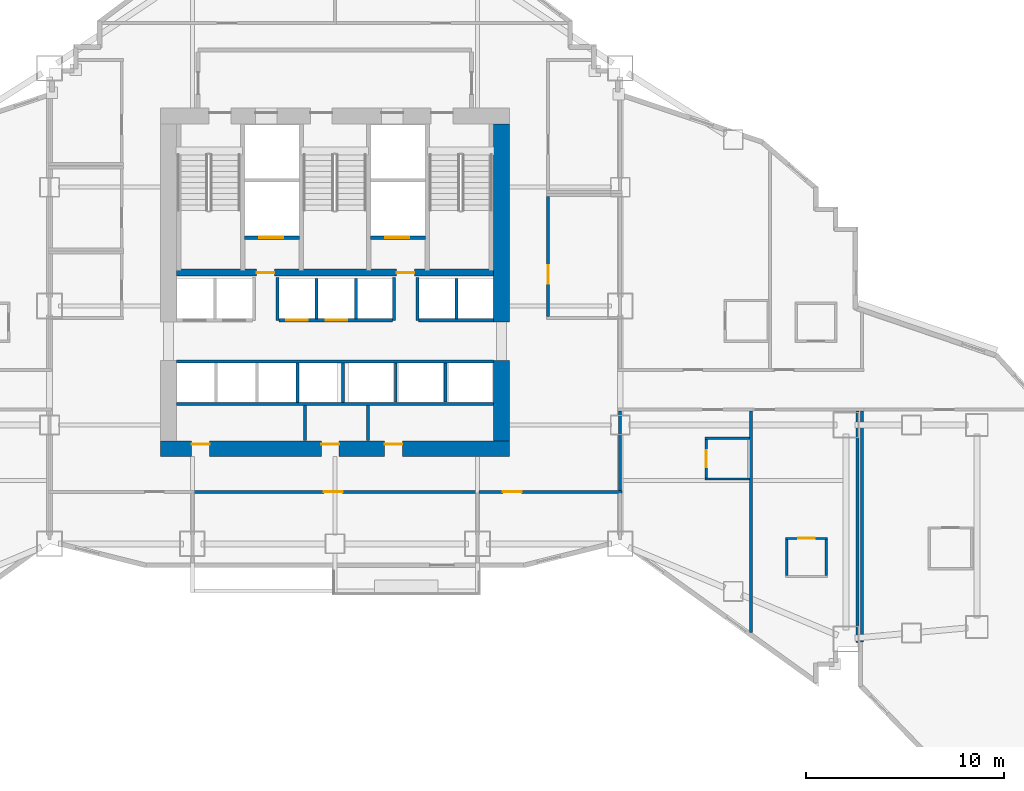
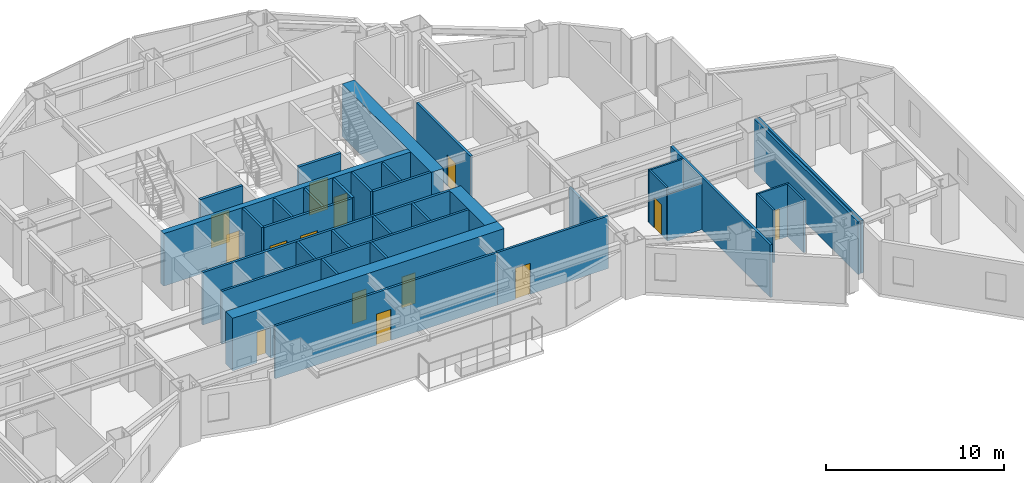
# One storey, part 9 of 17: 35 walls, 14 doors, 14 openings.
"""IFC4 building model written with IfcOpenShell, lengths in metres."""

from ifc_helpers import new_model, si_unit, direction, frame, frame_2d, origin, place, context, subcontext, project, spatial, rectangle, extrude, material, layer, layer_set, type_object, element, fill, save


model = new_model("IFC4")

# Units and contexts
model_context = context("Model", 3, precision=1e-05, world=origin(), true_north=direction((0.0, 1.0)))
body_context = subcontext(model_context, "Body", "Model", "MODEL_VIEW")
ifc_project = project(units=[si_unit("LENGTHUNIT", "METRE"), si_unit("AREAUNIT", "SQUARE_METRE"), si_unit("VOLUMEUNIT", "CUBIC_METRE"), si_unit("PLANEANGLEUNIT", "RADIAN"), si_unit("MASSUNIT", "GRAM", prefix="KILO")], contexts=[model_context])

# Site, building, storey
site_placement = place(None, origin())
site = spatial("IfcSite", under=ifc_project, at=site_placement, CompositionType="ELEMENT")
building_placement = place(site_placement, origin())
building = spatial("IfcBuilding", under=site, at=building_placement, Name="Haolan Belvedere Tower", CompositionType="ELEMENT")
storey_placement = place(building_placement, frame((0.0, 0.0, 35.39990234375)))
storey = spatial("IfcBuildingStorey", under=building, at=storey_placement, Name="L08", CompositionType="ELEMENT", Elevation=35.39990234375)

# Wall, openings, doors
ifc_material_1 = material(Name="Concrete C70/85", Category="concrete")
ifc_layer_1 = layer(ifc_material_1, 0.800048828125, Name="Concrete C70/85")
ifc_layer_set_1 = layer_set([ifc_layer_1], Name="Concrete C70/85")
wall_type_1 = type_object("IfcWallType", Name="WL-CORE-800", PredefinedType="SHEAR", material=ifc_layer_set_1)
wall_1_placement = place(storey_placement, frame((29.60009765625, 26.39990234375, 0.0), z_axis=(0.0, 0.0, 1.0), x_axis=(1.0, 0.0, 0.0)))
wall_1 = element("IfcWall", 1, at=wall_1_placement, inside=storey, type_object=wall_type_1, Name="L08 central core south shear wall", PredefinedType="SHEAR", context=body_context, shape_type="SweptSolid", body=[
    extrude(rectangle(XDim=17.599853515625, YDim=0.800048828125, at=frame_2d((8.7998046875, 0.0))), origin(), (0.0, 0.0, 1.0), 3.60009765625),
])
opening_1_placement = place(wall_1_placement, frame((2.469970703125, 0.0, 0.0), z_axis=(0.0, 0.0, 1.0), x_axis=(-1.0, 0.0, 0.0)))
opening_1 = element("IfcOpeningElement", 2, at=opening_1_placement, cuts=wall_1, Name="Opening FD-05", PredefinedType="OPENING", context=body_context, shape_type="SweptSolid", body=[
    extrude(rectangle(XDim=0.89990234375, YDim=2.10009765625, at=frame_2d((0.449951171875, 1.050048828125))), frame((0.0, 0.409912109375, 0.0), z_axis=(0.0, -1.0, 0.0), x_axis=(1.0, 0.0, 0.0)), (0.0, 0.0, 1.0), 0.820068359375),
])
opening_2_placement = place(wall_1_placement, frame((9.010009765625, 0.0, 0.0), z_axis=(0.0, 0.0, 1.0), x_axis=(-1.0, 0.0, 0.0)))
opening_2 = element("IfcOpeningElement", 3, at=opening_2_placement, cuts=wall_1, Name="Opening FD-05", PredefinedType="OPENING", context=body_context, shape_type="SweptSolid", body=[
    extrude(rectangle(XDim=0.89990234375, YDim=2.10009765625, at=frame_2d((0.449951171875, 1.050048828125))), frame((0.0, 0.409912109375, 0.0), z_axis=(0.0, -1.0, 0.0), x_axis=(1.0, 0.0, 0.0)), (0.0, 0.0, 1.0), 0.820068359375),
])
opening_3_placement = place(wall_1_placement, frame((12.2099609375, 0.0, 0.0), z_axis=(0.0, 0.0, 1.0), x_axis=(-1.0, 0.0, 0.0)))
opening_3 = element("IfcOpeningElement", 4, at=opening_3_placement, cuts=wall_1, Name="Opening FD-05", PredefinedType="OPENING", context=body_context, shape_type="SweptSolid", body=[
    extrude(rectangle(XDim=0.89990234375, YDim=2.10009765625, at=frame_2d((0.449951171875, 1.050048828125))), frame((0.0, 0.409912109375, 0.0), z_axis=(0.0, -1.0, 0.0), x_axis=(1.0, 0.0, 0.0)), (0.0, 0.0, 1.0), 0.820068359375),
])
ifc_material_2 = material(Name="Galvanised fire-rated steel", Category="steel")
door_type_1 = type_object("IfcDoorType", Name="DR-FD60-900", OperationType="NOTDEFINED", PredefinedType="DOOR", material=ifc_material_2)
door_1_placement = place(opening_1_placement, origin())
door_1 = element("IfcDoor", 5, at=door_1_placement, inside=storey, type_object=door_type_1, Name="L08 door CD-L08-SCV-1", OperationType="SINGLE_SWING_LEFT", OverallHeight=2.10009765625, OverallWidth=0.89990234375, PredefinedType="DOOR", context=body_context, shape_type="SweptSolid", body=[
    extrude(rectangle(XDim=0.89990234375, YDim=2.10009765625, at=frame_2d((0.449951171875, 1.050048828125))), frame((0.0, -0.19482421875, 0.0), z_axis=(0.0, -1.0, 0.0), x_axis=(1.0, 0.0, 0.0)), (0.0, 0.0, 1.0), 0.050048828125),
])
fill(opening_1, door_1)
door_2_placement = place(opening_2_placement, origin())
door_2 = element("IfcDoor", 6, at=door_2_placement, inside=storey, type_object=door_type_1, Name="L08 door CD-L08-SCV-2", OperationType="SINGLE_SWING_RIGHT", OverallHeight=2.10009765625, OverallWidth=0.89990234375, PredefinedType="DOOR", context=body_context, shape_type="SweptSolid", body=[
    extrude(rectangle(XDim=0.89990234375, YDim=2.10009765625, at=frame_2d((0.449951171875, 1.050048828125))), frame((0.0, -0.19482421875, 0.0), z_axis=(0.0, -1.0, 0.0), x_axis=(1.0, 0.0, 0.0)), (0.0, 0.0, 1.0), 0.050048828125),
])
fill(opening_2, door_2)
door_3_placement = place(opening_3_placement, origin())
door_3 = element("IfcDoor", 7, at=door_3_placement, inside=storey, type_object=door_type_1, Name="L08 door CD-L08-SCV-3", OperationType="SINGLE_SWING_LEFT", OverallHeight=2.10009765625, OverallWidth=0.89990234375, PredefinedType="DOOR", context=body_context, shape_type="SweptSolid", body=[
    extrude(rectangle(XDim=0.89990234375, YDim=2.10009765625, at=frame_2d((0.449951171875, 1.050048828125))), frame((0.0, -0.19482421875, 0.0), z_axis=(0.0, -1.0, 0.0), x_axis=(1.0, 0.0, 0.0)), (0.0, 0.0, 1.0), 0.050048828125),
])
fill(opening_3, door_3)

# Walls
wall_2_placement = place(storey_placement, frame((46.800048828125, 26.800048828125, 0.0), z_axis=(0.0, 0.0, 1.0), x_axis=(0.0, 1.0, 0.0)))
element("IfcWall", 8, at=wall_2_placement, inside=storey, type_object=wall_type_1, Name="L08 central core shear wall ES", PredefinedType="SHEAR", context=body_context, shape_type="SweptSolid", body=[
    extrude(rectangle(XDim=4.050048828125, YDim=0.800048828125, at=frame_2d((2.02490234375, 0.0))), origin(), (0.0, 0.0, 1.0), 3.60009765625),
])
wall_3_placement = place(storey_placement, frame((46.800048828125, 32.800048828125, 0.0), z_axis=(0.0, 0.0, 1.0), x_axis=(0.0, 1.0, 0.0)))
element("IfcWall", 9, at=wall_3_placement, inside=storey, type_object=wall_type_1, Name="L08 central core shear wall EN", PredefinedType="SHEAR", context=body_context, shape_type="SweptSolid", body=[
    extrude(rectangle(XDim=10.0, YDim=0.800048828125, at=frame_2d((5.0, 0.0))), origin(), (0.0, 0.0, 1.0), 3.60009765625),
])
ifc_material_3 = material(Name="Double gypsum acoustic stud partition", Category="masonry")
ifc_layer_2 = layer(ifc_material_3, 0.14990234375, Name="Double gypsum acoustic stud partition")
ifc_layer_set_2 = layer_set([ifc_layer_2], Name="Double gypsum acoustic stud partition")
wall_type_2 = type_object("IfcWallType", Name="WL-PART-150", PredefinedType="PARTITIONING", material=ifc_layer_set_2)
wall_4_placement = place(storey_placement, frame((30.39990234375, 28.659912109375, 0.0), z_axis=(0.0, 0.0, 1.0), x_axis=(1.0, 0.0, 0.0)))
element("IfcWall", 10, at=wall_4_placement, inside=storey, type_object=wall_type_2, Name="L08 interior partition IW-L08-SSTRIP-N", PredefinedType="PARTITIONING", context=body_context, shape_type="SweptSolid", body=[
    extrude(rectangle(XDim=16.0, YDim=0.14990234375, at=frame_2d((8.0, 0.0))), origin(), (0.0, 0.0, 1.0), 3.60009765625),
])
for number, where, z_axis, x_axis, name in (
    (11, (36.8798828125, 26.81005859375, 0.0), (0.0, 0.0, 1.0), (0.0, 1.0, 0.0), "L08 interior partition IW-L08-SCV-DIV-1"),
    (12, (40.080078125, 26.81005859375, 0.0), (0.0, 0.0, 1.0), (0.0, 1.0, 0.0), "L08 interior partition IW-L08-SCV-DIV-2"),
):
    element("IfcWall", number, at=place(storey_placement, frame(where, z_axis=z_axis, x_axis=x_axis)), inside=storey, type_object=wall_type_2, Name=name, PredefinedType="PARTITIONING", context=body_context, shape_type="SweptSolid", body=[
        extrude(rectangle(XDim=1.77001953125, YDim=0.14990234375, at=frame_2d((0.885009765625, 0.0))), origin(), (0.0, 0.0, 1.0), 3.60009765625),
    ])

# Wall, opening, door
wall_5_placement = place(storey_placement, frame((49.159912109375, 33.06005859375, 0.0), z_axis=(0.0, 0.0, 1.0), x_axis=(0.0, 1.0, 0.0)))
wall_5 = element("IfcWall", 13, at=wall_5_placement, inside=storey, type_object=wall_type_2, Name="L08 interior partition IW-L08-HSK-W", PredefinedType="PARTITIONING", context=body_context, shape_type="SweptSolid", body=[
    extrude(rectangle(XDim=6.079833984375, YDim=0.14990234375, at=frame_2d((3.0400390625, 0.0))), origin(), (0.0, 0.0, 1.0), 3.60009765625),
])
opening_4_placement = place(wall_5_placement, frame((1.659912109375, 0.0, 0.0)))
opening_4 = element("IfcOpeningElement", 14, at=opening_4_placement, cuts=wall_5, Name="Opening ID-03", PredefinedType="OPENING", context=body_context, shape_type="SweptSolid", body=[
    extrude(rectangle(XDim=0.949951171875, YDim=2.1201171875, at=frame_2d((0.47509765625, 1.06005859375))), frame((0.0, 0.0849609375, 0.0), z_axis=(0.0, -1.0, 0.0), x_axis=(1.0, 0.0, 0.0)), (0.0, 0.0, 1.0), 0.169921875),
])
ifc_material_4 = material(Name="Painted solid-core timber", Category="wood")
door_type_2 = type_object("IfcDoorType", Name="DR-INT-950", OperationType="NOTDEFINED", PredefinedType="DOOR", material=ifc_material_4)
door_4_placement = place(opening_4_placement, origin())
door_4 = element("IfcDoor", 15, at=door_4_placement, inside=storey, type_object=door_type_2, Name="L08 door ID-L08-HSK", OperationType="SINGLE_SWING_RIGHT", OverallHeight=2.1201171875, OverallWidth=0.949951171875, PredefinedType="DOOR", context=body_context, shape_type="SweptSolid", body=[
    extrude(rectangle(XDim=0.949951171875, YDim=2.1201171875, at=frame_2d((0.47509765625, 1.06005859375))), frame((0.0, 0.02490234375, 0.0), z_axis=(0.0, -1.0, 0.0), x_axis=(1.0, 0.0, 0.0)), (0.0, 0.0, 1.0), 0.050048828125),
])
fill(opening_4, door_4)

wall_6_placement = place(storey_placement, frame((31.281982421875, 24.219970703125, 0.0), z_axis=(0.0, 0.0, 1.0), x_axis=(1.0, 0.0, 0.0)))
wall_6 = element("IfcWall", 16, at=wall_6_placement, inside=storey, type_object=wall_type_2, Name="L08 interior partition IW-L08-KS2-N", PredefinedType="PARTITIONING", context=body_context, shape_type="SweptSolid", body=[
    extrude(rectangle(XDim=14.39794921875, YDim=0.14990234375, at=frame_2d((7.198974609375, 0.0))), origin(), (0.0, 0.0, 1.0), 3.60009765625),
])
opening_5_placement = place(wall_6_placement, frame((7.512939453125, 0.0, 0.0), z_axis=(0.0, 0.0, 1.0), x_axis=(-1.0, 0.0, 0.0)))
opening_5 = element("IfcOpeningElement", 17, at=opening_5_placement, cuts=wall_6, Name="Opening ID-03", PredefinedType="OPENING", context=body_context, shape_type="SweptSolid", body=[
    extrude(rectangle(XDim=0.949951171875, YDim=2.1201171875, at=frame_2d((0.47509765625, 1.06005859375))), frame((0.0, 0.0849609375, 0.0), z_axis=(0.0, -1.0, 0.0), x_axis=(1.0, 0.0, 0.0)), (0.0, 0.0, 1.0), 0.169921875),
])
door_5_placement = place(opening_5_placement, origin())
door_5 = element("IfcDoor", 18, at=door_5_placement, inside=storey, type_object=door_type_2, Name="L08 door ID-L08-KS2", OperationType="SINGLE_SWING_LEFT", OverallHeight=2.1201171875, OverallWidth=0.949951171875, PredefinedType="DOOR", context=body_context, shape_type="SweptSolid", body=[
    extrude(rectangle(XDim=0.949951171875, YDim=2.1201171875, at=frame_2d((0.47509765625, 1.06005859375))), frame((0.0, 0.02490234375, 0.0), z_axis=(0.0, -1.0, 0.0), x_axis=(1.0, 0.0, 0.0)), (0.0, 0.0, 1.0), 0.050048828125),
])
fill(opening_5, door_5)

wall_7_placement = place(storey_placement, frame((45.681884765625, 24.219970703125, 0.0), z_axis=(0.0, 0.0, 1.0), x_axis=(1.0, 0.0, 0.0)))
wall_7 = element("IfcWall", 19, at=wall_7_placement, inside=storey, type_object=wall_type_2, Name="L08 interior partition IW-L08-KS3-N", PredefinedType="PARTITIONING", context=body_context, shape_type="SweptSolid", body=[
    extrude(rectangle(XDim=7.197998046875, YDim=0.14990234375, at=frame_2d((3.59912109375, 0.0))), origin(), (0.0, 0.0, 1.0), 3.60009765625),
])
opening_6_placement = place(wall_7_placement, frame((2.14306640625, 0.0, 0.0), z_axis=(0.0, 0.0, 1.0), x_axis=(-1.0, 0.0, 0.0)))
opening_6 = element("IfcOpeningElement", 20, at=opening_6_placement, cuts=wall_7, Name="Opening ID-03", PredefinedType="OPENING", context=body_context, shape_type="SweptSolid", body=[
    extrude(rectangle(XDim=0.949951171875, YDim=2.1201171875, at=frame_2d((0.47509765625, 1.06005859375))), frame((0.0, 0.0849609375, 0.0), z_axis=(0.0, -1.0, 0.0), x_axis=(1.0, 0.0, 0.0)), (0.0, 0.0, 1.0), 0.169921875),
])
door_6_placement = place(opening_6_placement, origin())
door_6 = element("IfcDoor", 21, at=door_6_placement, inside=storey, type_object=door_type_2, Name="L08 door ID-L08-KS3", OperationType="SINGLE_SWING_RIGHT", OverallHeight=2.1201171875, OverallWidth=0.949951171875, PredefinedType="DOOR", context=body_context, shape_type="SweptSolid", body=[
    extrude(rectangle(XDim=0.949951171875, YDim=2.1201171875, at=frame_2d((0.47509765625, 1.06005859375))), frame((0.0, 0.02490234375, 0.0), z_axis=(0.0, -1.0, 0.0), x_axis=(1.0, 0.0, 0.0)), (0.0, 0.0, 1.0), 0.050048828125),
])
fill(opening_6, door_6)

# Walls
wall_8_placement = place(storey_placement, frame((52.800048828125, 24.280029296875, 0.0), z_axis=(0.0, 0.0, 1.0), x_axis=(0.0, 1.0, 0.0)))
element("IfcWall", 22, at=wall_8_placement, inside=storey, type_object=wall_type_2, Name="L08 interior partition IW-L08-T4S1-W", PredefinedType="PARTITIONING", context=body_context, shape_type="SweptSolid", body=[
    extrude(rectangle(XDim=4.030029296875, YDim=0.14990234375, at=frame_2d((2.01513671875, 0.0))), origin(), (0.0, 0.0, 1.0), 3.09716796875),
])
wall_9_placement = place(storey_placement, frame((59.389892578125, 17.132568359375, 0.0), z_axis=(0.0, 0.0, 1.0), x_axis=(0.0, 1.0, 0.0)))
element("IfcWall", 23, at=wall_9_placement, inside=storey, type_object=wall_type_2, Name="L08 interior partition IW-L08-T4S1-E", PredefinedType="PARTITIONING", context=body_context, shape_type="SweptSolid", body=[
    extrude(rectangle(XDim=11.177490234375, YDim=0.14990234375, at=frame_2d((5.5888671875, 0.0))), origin(), (0.0, 0.0, 1.0), 3.60009765625),
])
wall_10_placement = place(storey_placement, frame((65.0, 16.64208984375, 0.0), z_axis=(0.0, 0.0, 1.0), x_axis=(0.0, 1.0, 0.0)))
element("IfcWall", 24, at=wall_10_placement, inside=storey, type_object=wall_type_2, Name="L08 interior partition IW-L08-T4S2-E", PredefinedType="PARTITIONING", context=body_context, shape_type="SweptSolid", body=[
    extrude(rectangle(XDim=11.66796875, YDim=0.14990234375, at=frame_2d((5.833984375, 0.0))), origin(), (0.0, 0.0, 1.0), 3.60009765625),
])
wall_11_placement = place(storey_placement, frame((64.780029296875, 16.612060546875, 0.0), z_axis=(0.0, 0.0, 1.0), x_axis=(0.0, 1.0, 0.0)))
element("IfcWall", 25, at=wall_11_placement, inside=storey, type_object=wall_type_2, Name="L08 interior partition IW-L08-T5S1-W", PredefinedType="PARTITIONING", context=body_context, shape_type="SweptSolid", body=[
    extrude(rectangle(XDim=11.697998046875, YDim=0.14990234375, at=frame_2d((5.84912109375, 0.0))), origin(), (0.0, 0.0, 1.0), 3.60009765625),
])
ifc_material_5 = material(Name="Gypsum fire shaftwall assembly", Category="masonry")
ifc_layer_3 = layer(ifc_material_5, 0.1650390625, Name="Gypsum fire shaftwall assembly")
ifc_layer_set_3 = layer_set([ifc_layer_3], Name="Gypsum fire shaftwall assembly")
wall_type_3 = type_object("IfcWallType", Name="WL-SHAFT-160", PredefinedType="SOLIDWALL", material=ifc_layer_set_3)
for number, where, z_axis, x_axis, name in (
    (26, (35.510009765625, 32.8798828125, 0.0), (0.0, 0.0, 1.0), (0.0, 1.0, 0.0), "L08 interior partition IW-L08-SVP-E-SV1"),
    (27, (41.3701171875, 32.8798828125, 0.0), (0.0, 0.0, 1.0), (0.0, 1.0, 0.0), "L08 interior partition IW-L08-SVP-W-SV2"),
    (28, (42.570068359375, 32.8798828125, 0.0), (0.0, 0.0, 1.0), (0.0, 1.0, 0.0), "L08 interior partition IW-L08-SVP-E-SV2"),
):
    element("IfcWall", number, at=place(storey_placement, frame(where, z_axis=z_axis, x_axis=x_axis)), inside=storey, type_object=wall_type_3, Name=name, PredefinedType="SOLIDWALL", context=body_context, shape_type="SweptSolid", body=[
        extrude(rectangle(XDim=2.170166015625, YDim=0.14990234375, at=frame_2d((1.0849609375, 0.0))), origin(), (0.0, 0.0, 1.0), 3.60009765625),
    ])

# Wall, openings, doors
wall_12_placement = place(storey_placement, frame((35.570068359375, 32.8798828125, 0.0), z_axis=(0.0, 0.0, 1.0), x_axis=(1.0, 0.0, 0.0)))
wall_12 = element("IfcWall", 29, at=wall_12_placement, inside=storey, type_object=wall_type_3, Name="L08 interior partition IW-L08-ROW-PN2", PredefinedType="SOLIDWALL", context=body_context, shape_type="SweptSolid", body=[
    extrude(rectangle(XDim=5.739990234375, YDim=0.159912109375, at=frame_2d((2.8701171875, 0.0))), origin(), (0.0, 0.0, 1.0), 3.60009765625),
])
opening_7_placement = place(wall_12_placement, frame((1.47021484375, 0.0, 0.0), z_axis=(0.0, 0.0, 1.0), x_axis=(-1.0, 0.0, 0.0)))
opening_7 = element("IfcOpeningElement", 30, at=opening_7_placement, cuts=wall_12, Name="Opening LD-01", PredefinedType="OPENING", context=body_context, shape_type="SweptSolid", body=[
    extrude(rectangle(XDim=1.10009765625, YDim=2.199951171875, at=frame_2d((0.550048828125, 1.10009765625))), frame((0.0, 0.08984375, 0.0), z_axis=(0.0, -1.0, 0.0), x_axis=(1.0, 0.0, 0.0)), (0.0, 0.0, 1.0), 0.179931640625),
])
opening_8_placement = place(wall_12_placement, frame((3.460205078125, 0.0, 0.0), z_axis=(0.0, 0.0, 1.0), x_axis=(-1.0, 0.0, 0.0)))
opening_8 = element("IfcOpeningElement", 31, at=opening_8_placement, cuts=wall_12, Name="Opening LD-01", PredefinedType="OPENING", context=body_context, shape_type="SweptSolid", body=[
    extrude(rectangle(XDim=1.10009765625, YDim=2.199951171875, at=frame_2d((0.550048828125, 1.10009765625))), frame((0.0, 0.08984375, 0.0), z_axis=(0.0, -1.0, 0.0), x_axis=(1.0, 0.0, 0.0)), (0.0, 0.0, 1.0), 0.179931640625),
])
ifc_material_6 = material(Name="Brushed champagne stainless steel 316L", Category="steel")
door_type_3 = type_object("IfcDoorType", Name="DR-LIFT-1100", OperationType="SLIDING_TO_LEFT", PredefinedType="DOOR", material=ifc_material_6)
door_7_placement = place(opening_7_placement, origin())
door_7 = element("IfcDoor", 32, at=door_7_placement, inside=storey, type_object=door_type_3, Name="L08 door ID-L08-LD-PL3", OperationType="SLIDING_TO_LEFT", OverallHeight=2.199951171875, OverallWidth=1.10009765625, PredefinedType="DOOR", context=body_context, shape_type="SweptSolid", body=[
    extrude(rectangle(XDim=1.10009765625, YDim=2.199951171875, at=frame_2d((0.550048828125, 1.10009765625))), frame((0.0, 0.02490234375, 0.0), z_axis=(0.0, -1.0, 0.0), x_axis=(1.0, 0.0, 0.0)), (0.0, 0.0, 1.0), 0.050048828125),
])
fill(opening_7, door_7)
door_8_placement = place(opening_8_placement, origin())
door_8 = element("IfcDoor", 33, at=door_8_placement, inside=storey, type_object=door_type_3, Name="L08 door ID-L08-LD-PL4", OperationType="SLIDING_TO_LEFT", OverallHeight=2.199951171875, OverallWidth=1.10009765625, PredefinedType="DOOR", context=body_context, shape_type="SweptSolid", body=[
    extrude(rectangle(XDim=1.10009765625, YDim=2.199951171875, at=frame_2d((0.550048828125, 1.10009765625))), frame((0.0, 0.02490234375, 0.0), z_axis=(0.0, -1.0, 0.0), x_axis=(1.0, 0.0, 0.0)), (0.0, 0.0, 1.0), 0.050048828125),
])
fill(opening_8, door_8)

# Walls
wall_13_placement = place(storey_placement, frame((42.6298828125, 32.8798828125, 0.0), z_axis=(0.0, 0.0, 1.0), x_axis=(1.0, 0.0, 0.0)))
element("IfcWall", 34, at=wall_13_placement, inside=storey, type_object=wall_type_3, Name="L08 interior partition IW-L08-ROW-PN3", PredefinedType="SOLIDWALL", context=body_context, shape_type="SweptSolid", body=[
    extrude(rectangle(XDim=3.77001953125, YDim=0.159912109375, at=frame_2d((1.885009765625, 0.0))), origin(), (0.0, 0.0, 1.0), 3.60009765625),
])
for number, where, z_axis, x_axis, name in (
    (35, (37.47998046875, 32.949951171875, 0.0), (0.0, 0.0, 1.0), (0.0, 1.0, 0.0), "L08 interior partition IW-L08-DIV-PL3"),
    (36, (39.469970703125, 32.949951171875, 0.0), (0.0, 0.0, 1.0), (0.0, 1.0, 0.0), "L08 interior partition IW-L08-DIV-PL4"),
    (37, (44.530029296875, 32.949951171875, 0.0), (0.0, 0.0, 1.0), (0.0, 1.0, 0.0), "L08 interior partition IW-L08-DIV-PH2"),
):
    element("IfcWall", number, at=place(storey_placement, frame(where, z_axis=z_axis, x_axis=x_axis)), inside=storey, type_object=wall_type_3, Name=name, PredefinedType="SOLIDWALL", context=body_context, shape_type="SweptSolid", body=[
        extrude(rectangle(XDim=2.050048828125, YDim=0.14990234375, at=frame_2d((1.02490234375, 0.0))), origin(), (0.0, 0.0, 1.0), 3.60009765625),
    ])
wall_14_placement = place(storey_placement, frame((30.39990234375, 30.800048828125, 0.0), z_axis=(0.0, 0.0, 1.0), x_axis=(1.0, 0.0, 0.0)))
element("IfcWall", 38, at=wall_14_placement, inside=storey, type_object=wall_type_3, Name="L08 interior partition IW-L08-ROW-PS", PredefinedType="SOLIDWALL", context=body_context, shape_type="SweptSolid", body=[
    extrude(rectangle(XDim=16.0, YDim=0.159912109375, at=frame_2d((8.0, 0.0))), origin(), (0.0, 0.0, 1.0), 3.60009765625),
])
for number, where, z_axis, x_axis, name in (
    (39, (36.52001953125, 28.735107421875, 0.0), (0.0, 0.0, 1.0), (0.0, 1.0, 0.0), "L08 interior partition IW-L08-DIV-PM3"),
    (40, (38.800048828125, 28.735107421875, 0.0), (0.0, 0.0, 1.0), (0.0, 1.0, 0.0), "L08 interior partition IW-L08-DIV-PM4"),
):
    element("IfcWall", number, at=place(storey_placement, frame(where, z_axis=z_axis, x_axis=x_axis)), inside=storey, type_object=wall_type_3, Name=name, PredefinedType="SOLIDWALL", context=body_context, shape_type="SweptSolid", body=[
        extrude(rectangle(XDim=1.98486328125, YDim=0.14990234375, at=frame_2d((0.992431640625, 0.0))), origin(), (0.0, 0.0, 1.0), 3.60009765625),
    ])
for number, where, z_axis, x_axis, name in (
    (41, (41.469970703125, 28.75, 0.0), (0.0, 0.0, 1.0), (0.0, 1.0, 0.0), "L08 interior partition IW-L08-DIV-OB1"),
    (42, (43.97998046875, 28.75, 0.0), (0.0, 0.0, 1.0), (0.0, 1.0, 0.0), "L08 interior partition IW-L08-DIV-OB2"),
):
    element("IfcWall", number, at=place(storey_placement, frame(where, z_axis=z_axis, x_axis=x_axis)), inside=storey, type_object=wall_type_3, Name=name, PredefinedType="SOLIDWALL", context=body_context, shape_type="SweptSolid", body=[
        extrude(rectangle(XDim=1.985107421875, YDim=0.14990234375, at=frame_2d((0.99267578125, 0.0))), origin(), (0.0, 0.0, 1.0), 3.60009765625),
    ])

# Wall, opening, door
ifc_material_7 = material(Name="Precast concrete C40/50", Category="concrete")
ifc_layer_4 = layer(ifc_material_7, 0.179931640625, Name="Precast concrete C40/50")
ifc_layer_set_4 = layer_set([ifc_layer_4], Name="Precast concrete C40/50")
wall_type_4 = type_object("IfcWallType", Name="WL-SHAFT-180", PredefinedType="SOLIDWALL", material=ifc_layer_set_4)
wall_15_placement = place(storey_placement, frame((33.8349609375, 37.050048828125, 0.0), z_axis=(0.0, 0.0, 1.0), x_axis=(1.0, 0.0, 0.0)))
wall_15 = element("IfcWall", 43, at=wall_15_placement, inside=storey, type_object=wall_type_4, Name="L08 interior partition IW-L08-SV1-S", PredefinedType="SOLIDWALL", context=body_context, shape_type="SweptSolid", body=[
    extrude(rectangle(XDim=2.77001953125, YDim=0.179931640625, at=frame_2d((1.385009765625, 0.0))), origin(), (0.0, 0.0, 1.0), 3.60009765625),
])
opening_9_placement = place(wall_15_placement, frame((1.945068359375, 0.0, 0.0), z_axis=(0.0, 0.0, 1.0), x_axis=(-1.0, 0.0, 0.0)))
opening_9 = element("IfcOpeningElement", 44, at=opening_9_placement, cuts=wall_15, Name="Opening LD-02", PredefinedType="OPENING", context=body_context, shape_type="SweptSolid", body=[
    extrude(rectangle(XDim=1.199951171875, YDim=2.199951171875, at=frame_2d((0.60009765625, 1.10009765625))), frame((0.0, 0.099853515625, 0.0), z_axis=(0.0, -1.0, 0.0), x_axis=(1.0, 0.0, 0.0)), (0.0, 0.0, 1.0), 0.199951171875),
])
door_type_4 = type_object("IfcDoorType", Name="DR-LIFT-1200", OperationType="SLIDING_TO_RIGHT", PredefinedType="DOOR", material=ifc_material_6)
door_9_placement = place(opening_9_placement, origin())
door_9 = element("IfcDoor", 45, at=door_9_placement, inside=storey, type_object=door_type_4, Name="L08 door ID-L08-LD-SV1", OperationType="SLIDING_TO_RIGHT", OverallHeight=2.199951171875, OverallWidth=1.199951171875, PredefinedType="DOOR", context=body_context, shape_type="SweptSolid", body=[
    extrude(rectangle(XDim=1.199951171875, YDim=2.199951171875, at=frame_2d((0.60009765625, 1.10009765625))), frame((0.0, 0.02490234375, 0.0), z_axis=(0.0, -1.0, 0.0), x_axis=(1.0, 0.0, 0.0)), (0.0, 0.0, 1.0), 0.050048828125),
])
fill(opening_9, door_9)

wall_16_placement = place(storey_placement, frame((40.195068359375, 37.050048828125, 0.0), z_axis=(0.0, 0.0, 1.0), x_axis=(1.0, 0.0, 0.0)))
wall_16 = element("IfcWall", 46, at=wall_16_placement, inside=storey, type_object=wall_type_4, Name="L08 interior partition IW-L08-SV2-S", PredefinedType="SOLIDWALL", context=body_context, shape_type="SweptSolid", body=[
    extrude(rectangle(XDim=2.77001953125, YDim=0.179931640625, at=frame_2d((1.385009765625, 0.0))), origin(), (0.0, 0.0, 1.0), 3.60009765625),
])
opening_10_placement = place(wall_16_placement, frame((1.945068359375, 0.0, 0.0), z_axis=(0.0, 0.0, 1.0), x_axis=(-1.0, 0.0, 0.0)))
opening_10 = element("IfcOpeningElement", 47, at=opening_10_placement, cuts=wall_16, Name="Opening LD-02", PredefinedType="OPENING", context=body_context, shape_type="SweptSolid", body=[
    extrude(rectangle(XDim=1.199951171875, YDim=2.199951171875, at=frame_2d((0.60009765625, 1.10009765625))), frame((0.0, 0.099853515625, 0.0), z_axis=(0.0, -1.0, 0.0), x_axis=(1.0, 0.0, 0.0)), (0.0, 0.0, 1.0), 0.199951171875),
])
door_10_placement = place(opening_10_placement, origin())
door_10 = element("IfcDoor", 48, at=door_10_placement, inside=storey, type_object=door_type_4, Name="L08 door ID-L08-LD-SV2", OperationType="SLIDING_TO_RIGHT", OverallHeight=2.199951171875, OverallWidth=1.199951171875, PredefinedType="DOOR", context=body_context, shape_type="SweptSolid", body=[
    extrude(rectangle(XDim=1.199951171875, YDim=2.199951171875, at=frame_2d((0.60009765625, 1.10009765625))), frame((0.0, 0.02490234375, 0.0), z_axis=(0.0, -1.0, 0.0), x_axis=(1.0, 0.0, 0.0)), (0.0, 0.0, 1.0), 0.050048828125),
])
fill(opening_10, door_10)

# Wall, openings, doors
ifc_material_8 = material(Name="Concrete C60/75", Category="concrete")
ifc_layer_5 = layer(ifc_material_8, 0.360107421875, Name="Concrete C60/75")
ifc_layer_set_5 = layer_set([ifc_layer_5], Name="Concrete C60/75")
wall_type_5 = type_object("IfcWallType", Name="WL-WEB-350", PredefinedType="SHEAR", material=ifc_layer_set_5)
wall_17_placement = place(storey_placement, frame((30.39990234375, 35.2900390625, 0.0), z_axis=(0.0, 0.0, 1.0), x_axis=(1.0, 0.0, 0.0)))
wall_17 = element("IfcWall", 49, at=wall_17_placement, inside=storey, type_object=wall_type_5, Name="L08 central core internal shear web", PredefinedType="SHEAR", context=body_context, shape_type="SweptSolid", body=[
    extrude(rectangle(XDim=16.0, YDim=0.360107421875, at=frame_2d((8.0, 0.0))), origin(), (0.0, 0.0, 1.0), 3.60009765625),
])
opening_11_placement = place(wall_17_placement, frame((4.949951171875, 0.0, 0.0), z_axis=(0.0, 0.0, 1.0), x_axis=(-1.0, 0.0, 0.0)))
opening_11 = element("IfcOpeningElement", 50, at=opening_11_placement, cuts=wall_17, Name="Opening FD-05", PredefinedType="OPENING", context=body_context, shape_type="SweptSolid", body=[
    extrude(rectangle(XDim=0.89990234375, YDim=2.10009765625, at=frame_2d((0.449951171875, 1.050048828125))), frame((0.0, 0.18994140625, 0.0), z_axis=(0.0, -1.0, 0.0), x_axis=(1.0, 0.0, 0.0)), (0.0, 0.0, 1.0), 0.380126953125),
])
opening_12_placement = place(wall_17_placement, frame((12.010009765625, 0.0, 0.0), z_axis=(0.0, 0.0, 1.0), x_axis=(-1.0, 0.0, 0.0)))
opening_12 = element("IfcOpeningElement", 51, at=opening_12_placement, cuts=wall_17, Name="Opening FD-05", PredefinedType="OPENING", context=body_context, shape_type="SweptSolid", body=[
    extrude(rectangle(XDim=0.89990234375, YDim=2.10009765625, at=frame_2d((0.449951171875, 1.050048828125))), frame((0.0, 0.18994140625, 0.0), z_axis=(0.0, -1.0, 0.0), x_axis=(1.0, 0.0, 0.0)), (0.0, 0.0, 1.0), 0.380126953125),
])
door_11_placement = place(opening_11_placement, origin())
door_11 = element("IfcDoor", 52, at=door_11_placement, inside=storey, type_object=door_type_1, Name="L08 door CD-L08-SVL-SV1", OperationType="SINGLE_SWING_RIGHT", OverallHeight=2.10009765625, OverallWidth=0.89990234375, PredefinedType="DOOR", context=body_context, shape_type="SweptSolid", body=[
    extrude(rectangle(XDim=0.89990234375, YDim=2.10009765625, at=frame_2d((0.449951171875, 1.050048828125))), frame((0.0, 0.02490234375, 0.0), z_axis=(0.0, -1.0, 0.0), x_axis=(1.0, 0.0, 0.0)), (0.0, 0.0, 1.0), 0.050048828125),
])
fill(opening_11, door_11)
door_12_placement = place(opening_12_placement, origin())
door_12 = element("IfcDoor", 53, at=door_12_placement, inside=storey, type_object=door_type_1, Name="L08 door CD-L08-SVL-SV2", OperationType="SINGLE_SWING_RIGHT", OverallHeight=2.10009765625, OverallWidth=0.89990234375, PredefinedType="DOOR", context=body_context, shape_type="SweptSolid", body=[
    extrude(rectangle(XDim=0.89990234375, YDim=2.10009765625, at=frame_2d((0.449951171875, 1.050048828125))), frame((0.0, 0.02490234375, 0.0), z_axis=(0.0, -1.0, 0.0), x_axis=(1.0, 0.0, 0.0)), (0.0, 0.0, 1.0), 0.050048828125),
])
fill(opening_12, door_12)

# Walls
ifc_material_9 = material(Name="Moisture-resistant gypsum tile partition", Category="masonry")
ifc_layer_6 = layer(ifc_material_9, 0.1201171875, Name="Moisture-resistant gypsum tile partition")
ifc_layer_set_6 = layer_set([ifc_layer_6], Name="Moisture-resistant gypsum tile partition")
wall_type_6 = type_object("IfcWallType", Name="WL-WET-120", PredefinedType="PARTITIONING", material=ifc_layer_set_6)
wall_18_placement = place(storey_placement, frame((57.080078125, 26.919921875, 0.0), z_axis=(0.0, 0.0, 1.0), x_axis=(1.0, 0.0, 0.0)))
element("IfcWall", 54, at=wall_18_placement, inside=storey, type_object=wall_type_6, Name="L08 interior partition IW-L08-T4S1-BN", PredefinedType="PARTITIONING", context=body_context, shape_type="SweptSolid", body=[
    extrude(rectangle(XDim=2.25, YDim=0.1201171875, at=frame_2d((1.125, 0.0))), origin(), (0.0, 0.0, 1.0), 3.60009765625),
])
wall_19_placement = place(storey_placement, frame((57.080078125, 24.8701171875, 0.0), z_axis=(0.0, 0.0, 1.0), x_axis=(1.0, 0.0, 0.0)))
element("IfcWall", 55, at=wall_19_placement, inside=storey, type_object=wall_type_6, Name="L08 interior partition IW-L08-T4S1-BS", PredefinedType="PARTITIONING", context=body_context, shape_type="SweptSolid", body=[
    extrude(rectangle(XDim=2.25, YDim=0.1201171875, at=frame_2d((1.125, 0.0))), origin(), (0.0, 0.0, 1.0), 3.18505859375),
])

# Wall, opening, door
wall_20_placement = place(storey_placement, frame((57.139892578125, 24.9150390625, 0.0), z_axis=(0.0, 0.0, 1.0), x_axis=(0.0, 1.0, 0.0)))
wall_20 = element("IfcWall", 56, at=wall_20_placement, inside=storey, type_object=wall_type_6, Name="L08 interior partition IW-L08-T4S1-BW", PredefinedType="PARTITIONING", context=body_context, shape_type="SweptSolid", body=[
    extrude(rectangle(XDim=1.9599609375, YDim=0.1201171875, at=frame_2d((0.97998046875, 0.0))), origin(), (0.0, 0.0, 1.0), 3.60009765625),
])
opening_13_placement = place(wall_20_placement, frame((1.405029296875, 0.0, 0.0), z_axis=(0.0, 0.0, 1.0), x_axis=(-1.0, 0.0, 0.0)))
opening_13 = element("IfcOpeningElement", 57, at=opening_13_placement, cuts=wall_20, Name="Opening ID-05", PredefinedType="OPENING", context=body_context, shape_type="SweptSolid", body=[
    extrude(rectangle(XDim=0.85009765625, YDim=2.10009765625, at=frame_2d((0.425048828125, 1.050048828125))), frame((0.0, 0.070068359375, 0.0), z_axis=(0.0, -1.0, 0.0), x_axis=(1.0, 0.0, 0.0)), (0.0, 0.0, 1.0), 0.14013671875),
])
ifc_material_10 = material(Name="Moisture-resistant lacquered timber", Category="wood")
door_type_5 = type_object("IfcDoorType", Name="DR-BATH-850", OperationType="NOTDEFINED", PredefinedType="DOOR", material=ifc_material_10)
door_13_placement = place(opening_13_placement, origin())
door_13 = element("IfcDoor", 58, at=door_13_placement, inside=storey, type_object=door_type_5, Name="L08 door ID-L08-T4S1-BATH", OperationType="SINGLE_SWING_RIGHT", OverallHeight=2.10009765625, OverallWidth=0.85009765625, PredefinedType="DOOR", context=body_context, shape_type="SweptSolid", body=[
    extrude(rectangle(XDim=0.85009765625, YDim=2.10009765625, at=frame_2d((0.425048828125, 1.050048828125))), frame((0.0, 0.02490234375, 0.0), z_axis=(0.0, -1.0, 0.0), x_axis=(1.0, 0.0, 0.0)), (0.0, 0.0, 1.0), 0.050048828125),
])
fill(opening_13, door_13)

wall_21_placement = place(storey_placement, frame((61.152099609375, 21.867919921875, 0.0), z_axis=(0.0, 0.0, 1.0), x_axis=(1.0, 0.0, 0.0)))
wall_21 = element("IfcWall", 59, at=wall_21_placement, inside=storey, type_object=wall_type_6, Name="L08 interior partition IW-L08-T4S2-BN", PredefinedType="PARTITIONING", context=body_context, shape_type="SweptSolid", body=[
    extrude(rectangle(XDim=2.099853515625, YDim=0.1201171875, at=frame_2d((1.0498046875, 0.0))), origin(), (0.0, 0.0, 1.0), 3.60009765625),
])
opening_14_placement = place(wall_21_placement, frame((1.47509765625, 0.0, 0.0), z_axis=(0.0, 0.0, 1.0), x_axis=(-1.0, 0.0, 0.0)))
opening_14 = element("IfcOpeningElement", 60, at=opening_14_placement, cuts=wall_21, Name="Opening ID-05", PredefinedType="OPENING", context=body_context, shape_type="SweptSolid", body=[
    extrude(rectangle(XDim=0.85009765625, YDim=2.10009765625, at=frame_2d((0.425048828125, 1.050048828125))), frame((0.0, 0.070068359375, 0.0), z_axis=(0.0, -1.0, 0.0), x_axis=(1.0, 0.0, 0.0)), (0.0, 0.0, 1.0), 0.14013671875),
])
door_14_placement = place(opening_14_placement, origin())
door_14 = element("IfcDoor", 61, at=door_14_placement, inside=storey, type_object=door_type_5, Name="L08 door ID-L08-T4S2-BATH", OperationType="SINGLE_SWING_LEFT", OverallHeight=2.10009765625, OverallWidth=0.85009765625, PredefinedType="DOOR", context=body_context, shape_type="SweptSolid", body=[
    extrude(rectangle(XDim=0.85009765625, YDim=2.10009765625, at=frame_2d((0.425048828125, 1.050048828125))), frame((0.0, 0.02490234375, 0.0), z_axis=(0.0, -1.0, 0.0), x_axis=(1.0, 0.0, 0.0)), (0.0, 0.0, 1.0), 0.050048828125),
])
fill(opening_14, door_14)

# Walls
for number, where, z_axis, x_axis, name in (
    (62, (61.2119140625, 19.992919921875, 0.0), (0.0, 0.0, 1.0), (0.0, 1.0, 0.0), "L08 interior partition IW-L08-T4S2-BW"),
    (63, (63.19189453125, 19.992919921875, 0.0), (0.0, 0.0, 1.0), (0.0, 1.0, 0.0), "L08 interior partition IW-L08-T4S2-BE"),
):
    element("IfcWall", number, at=place(storey_placement, frame(where, z_axis=z_axis, x_axis=x_axis)), inside=storey, type_object=wall_type_6, Name=name, PredefinedType="PARTITIONING", context=body_context, shape_type="SweptSolid", body=[
        extrude(rectangle(XDim=1.830078125, YDim=0.1201171875, at=frame_2d((0.9150390625, 0.0))), origin(), (0.0, 0.0, 1.0), 3.60009765625),
    ])

save(model, "model.ifc")
